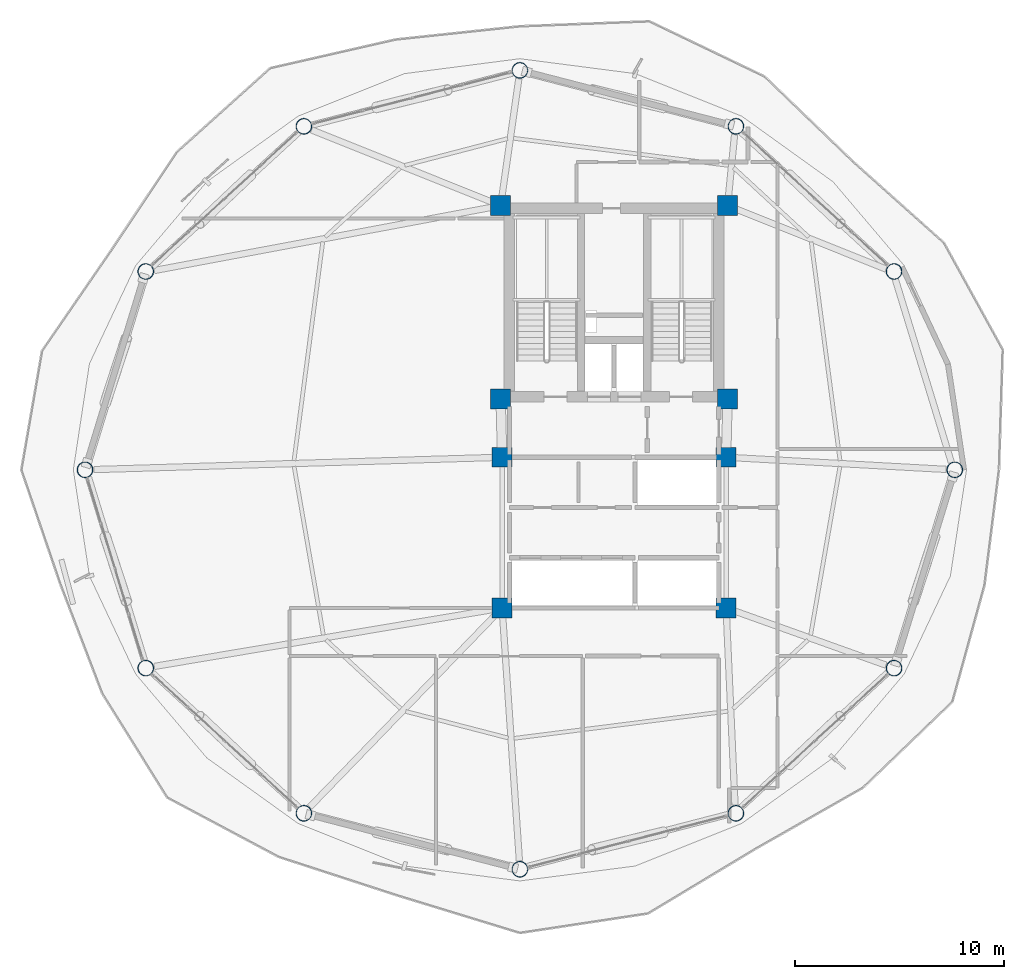
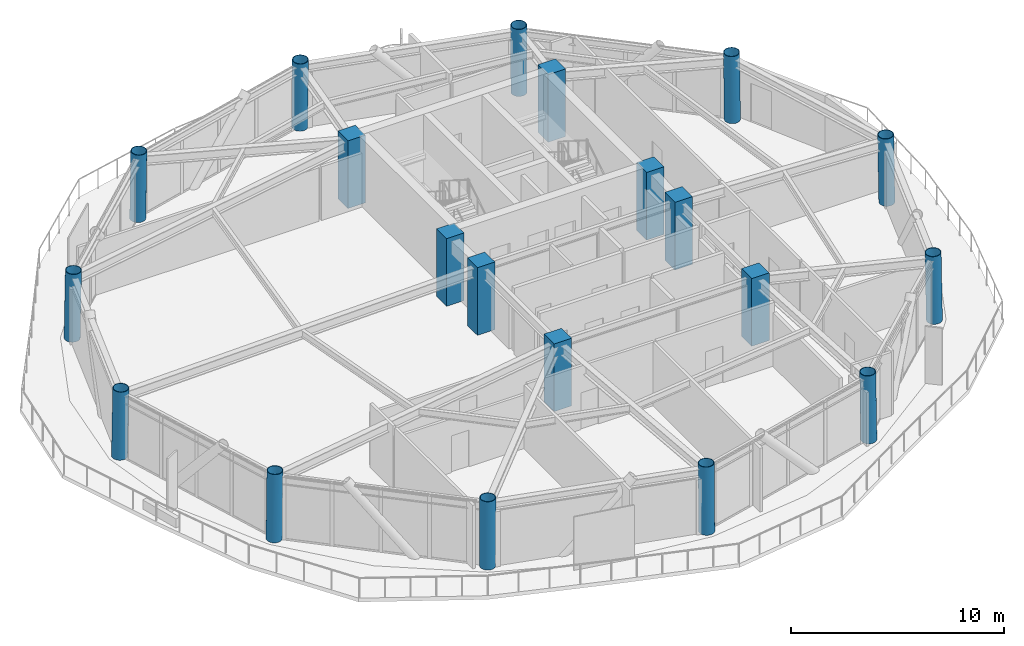
# One storey, part 1 of 23: 20 columns.
"""IFC4 building model written with IfcOpenShell, lengths in metres."""

import ifcopenshell
import ifcopenshell.guid

model = None  # the IFC model being written
_history = None  # IfcOwnerHistory: only IFC2X3 demands one
_inside = {}  # id of a spatial element -> (the spatial element, [elements in it])
_under = {}  # id of a project, library or spatial element -> (it, [spatial elements below it])
_declared = {}  # id of a project -> (the project, [libraries it declares])
_typed = {}  # id of a type object -> (the type object, [elements of that type])
_made_of = {}  # id of a material, layer set ... -> (it, [elements and type objects made of it])


def new_model(schema):
    """Start an empty IFC model of exactly this schema.

    Asked for "IFC4X3", IfcOpenShell would pick the latest addendum, in which some entities
    have other attributes; the version numbers below select the first issue.
    IFC2X3 requires an IfcOwnerHistory on every rooted entity: one is made here for all.
    """
    global model, _history
    if schema == "IFC4X3":
        model = ifcopenshell.file(schema_version=(4, 3, 0, 0))
    else:
        model = ifcopenshell.file(schema=schema)
    _inside.clear()
    _under.clear()
    _declared.clear()
    _typed.clear()
    _made_of.clear()
    _history = None
    if model.schema == "IFC2X3":
        org = make("IfcOrganization", Name="unknown")
        user = make(
            "IfcPersonAndOrganization",
            ThePerson=make("IfcPerson", FamilyName="unknown"),
            TheOrganization=org,
        )
        app = make(
            "IfcApplication",
            ApplicationDeveloper=org,
            Version="unknown",
            ApplicationFullName="unknown",
            ApplicationIdentifier="unknown",
        )
        _history = make(
            "IfcOwnerHistory",
            OwningUser=user,
            OwningApplication=app,
            ChangeAction="ADDED",
            CreationDate=0,
        )
    return model


def make(cls, **values):
    """One entity of the class cls with the attributes given. An attribute that is None is left unset."""
    return model.create_entity(
        cls, **{name: value for name, value in values.items() if value is not None}
    )


def rooted(cls, **values):
    """An entity with a GlobalId (a new one), such as an element, a storey or a relation."""
    return make(cls, GlobalId=ifcopenshell.guid.new(), OwnerHistory=_history, **values)


def si_unit(unit_type, name, prefix=None):
    """IfcSIUnit, for example si_unit("LENGTHUNIT", "METRE", prefix="MILLI")."""
    return make("IfcSIUnit", UnitType=unit_type, Prefix=prefix, Name=name)


def assignment(units):
    """IfcUnitAssignment: the units of a project."""
    return None if units is None else make("IfcUnitAssignment", Units=units)


def point(xyz):
    """IfcCartesianPoint."""
    return None if xyz is None else make("IfcCartesianPoint", Coordinates=xyz)


def direction(xyz):
    """IfcDirection."""
    return None if xyz is None else make("IfcDirection", DirectionRatios=xyz)


def frame(location, z_axis=None, x_axis=None):
    """IfcAxis2Placement3D, a coordinate frame: its origin and axes. An axis left out is left unset."""
    return make(
        "IfcAxis2Placement3D",
        Location=point(location),
        Axis=direction(z_axis),
        RefDirection=direction(x_axis),
    )


def frame_2d(location, x_axis=None):
    """IfcAxis2Placement2D, a coordinate frame in the plane: its origin and x axis."""
    return make(
        "IfcAxis2Placement2D", Location=point(location), RefDirection=direction(x_axis)
    )


def origin():
    """The frame at (0, 0, 0) with its axes left unset."""
    return frame((0.0, 0.0, 0.0))


def origin_2d():
    """The frame at (0, 0) in the plane with its x axis left unset."""
    return frame_2d((0.0, 0.0))


def place(relative_to, where):
    """IfcLocalPlacement: puts the frame where relative to a parent placement (None: the world)."""
    return make(
        "IfcLocalPlacement", PlacementRelTo=relative_to, RelativePlacement=where
    )


def context(
    kind, dimensions, precision=None, world=None, true_north=None, identifier=None
):
    """IfcGeometricRepresentationContext, for example the 3D "Model" context."""
    return make(
        "IfcGeometricRepresentationContext",
        ContextIdentifier=identifier,
        ContextType=kind,
        CoordinateSpaceDimension=dimensions,
        Precision=precision,
        WorldCoordinateSystem=world,
        TrueNorth=true_north,
    )


def subcontext(parent, identifier, kind, view, scale=None):
    """IfcGeometricRepresentationSubContext, for example "Body" below "Model"."""
    return make(
        "IfcGeometricRepresentationSubContext",
        ContextIdentifier=identifier,
        ContextType=kind,
        ParentContext=parent,
        TargetScale=scale,
        TargetView=view,
    )


def project(units=None, contexts=None):
    """IfcProject with its units and contexts."""
    return rooted(
        "IfcProject",
        Name="project",
        RepresentationContexts=contexts,
        UnitsInContext=assignment(units),
    )


def spatial(cls, under=None, at=None, **own):
    """A site, building, storey or space (cls), placed at a placement, below another one or the project."""
    s = rooted(cls, ObjectPlacement=at, **own)
    if under is not None:
        _under.setdefault(under.id(), (under, []))[1].append(s)
    return s


def profile(cls, at=None, kind="AREA", **sizes):
    """A parametric profile (cls). Its sizes go by their IFC names, for example OverallWidth=200.0."""
    return make(cls, ProfileType=kind, Position=at, **sizes)


def rectangle(**sizes):
    """IfcRectangleProfileDef."""
    return profile("IfcRectangleProfileDef", **sizes)


def hollow_circle(**sizes):
    """IfcCircleHollowProfileDef."""
    return profile("IfcCircleHollowProfileDef", **sizes)


def extrude(swept, where, along, depth):
    """IfcExtrudedAreaSolid: the profile swept, set in the frame where, extruded along a direction by depth."""
    return make(
        "IfcExtrudedAreaSolid",
        SweptArea=swept,
        Position=where,
        ExtrudedDirection=direction(along),
        Depth=depth,
    )


def shape(context_of_items, identifier, shape_type, items):
    """IfcShapeRepresentation: the items that make up one representation, for example the "Body"."""
    return make(
        "IfcShapeRepresentation",
        ContextOfItems=context_of_items,
        RepresentationIdentifier=identifier,
        RepresentationType=shape_type,
        Items=items,
    )


def material(Name=None, Category=None):
    """IfcMaterial."""
    return make("IfcMaterial", Name=Name, Category=Category)


def material_profile(
    of_material, cross_section, Name=None, Category=None, Priority=None
):
    """IfcMaterialProfile: a cross section and its material."""
    return make(
        "IfcMaterialProfile",
        Name=Name,
        Material=of_material,
        Profile=cross_section,
        Priority=Priority,
        Category=Category,
    )


def profile_set(profiles, Name=None, composite=None):
    """IfcMaterialProfileSet."""
    return make(
        "IfcMaterialProfileSet",
        Name=Name,
        MaterialProfiles=profiles,
        CompositeProfile=composite,
    )


def made_of(thing, what):
    """Note that an element or type object is made of a material, layer set ...; save() writes the relation."""
    if what is not None:
        _made_of.setdefault(what.id(), (what, []))[1].append(thing)
    return thing


def type_object(cls, material=None, **own):
    """A type object (cls), such as IfcWallType, which elements share."""
    return made_of(rooted(cls, **own), material)


def element(
    cls,
    number,
    at=None,
    inside=None,
    cuts=None,
    type_object=None,
    material=None,
    context=None,
    identifier="Body",
    shape_type=None,
    held_by="IfcProductDefinitionShape",
    body=None,
    shapes=None,
    **own,
):
    """One element of the class cls, such as IfcWall. Its Tag is "e" and its number.

    at: its placement. inside: the storey or other place that contains it. cuts: it is an
    opening in that element (IfcRelVoidsElement). A single representation is given by context,
    identifier, shape_type and body (its items); several are given by shapes. held_by: the class
    of the entity that holds the representations. save() writes the other relations.
    """
    e = rooted(cls, Tag="e%d" % number, ObjectPlacement=at, **own)
    if body is not None:
        shapes = [shape(context, identifier, shape_type, body)]
    if shapes is not None:
        e.Representation = make(held_by, Representations=shapes)
    if inside is not None:
        _inside.setdefault(inside.id(), (inside, []))[1].append(e)
    if cuts is not None:
        rooted(
            "IfcRelVoidsElement", RelatingBuildingElement=cuts, RelatedOpeningElement=e
        )
    if type_object is not None:
        _typed.setdefault(type_object.id(), (type_object, []))[1].append(e)
    return made_of(e, material)


def aggregate(whole, parts):
    """IfcRelAggregates: a whole, such as a stair, and the parts it consists of."""
    return rooted("IfcRelAggregates", RelatingObject=whole, RelatedObjects=parts)


def save(model, path):
    """Write the relations noted so far, then the file.

    IfcRelAggregates (storeys below a building ...), IfcRelContainedInSpatialStructure (elements
    in a storey), IfcRelDefinesByType, IfcRelAssociatesMaterial and IfcRelDeclares: one each for
    every whole, place, type object, material and project.
    """
    for whole, parts in _under.values():
        aggregate(whole, parts)
    for where, things in _inside.values():
        rooted(
            "IfcRelContainedInSpatialStructure",
            RelatedElements=things,
            RelatingStructure=where,
        )
    for kind, things in _typed.values():
        rooted("IfcRelDefinesByType", RelatedObjects=things, RelatingType=kind)
    for what, things in _made_of.values():
        rooted("IfcRelAssociatesMaterial", RelatedObjects=things, RelatingMaterial=what)
    for by, libraries in _declared.values():
        rooted("IfcRelDeclares", RelatingContext=by, RelatedDefinitions=libraries)
    model.write(path)


model = new_model("IFC4")

# Units and contexts
model_context = context("Model", 3, precision=1e-05, world=origin(), true_north=direction((0.0, 1.0)))
body_context = subcontext(model_context, "Body", "Model", "MODEL_VIEW")
ifc_project = project(units=[si_unit("LENGTHUNIT", "METRE"), si_unit("AREAUNIT", "SQUARE_METRE"), si_unit("VOLUMEUNIT", "CUBIC_METRE"), si_unit("PLANEANGLEUNIT", "RADIAN"), si_unit("MASSUNIT", "GRAM", prefix="KILO")], contexts=[model_context])

# Site, building, storey
site_placement = place(None, origin())
site = spatial("IfcSite", under=ifc_project, at=site_placement, CompositionType="ELEMENT")
building_placement = place(site_placement, origin())
building = spatial("IfcBuilding", under=site, at=building_placement, Name="Varnakorn Sky Granary", CompositionType="ELEMENT")
storey_placement = place(building_placement, frame((0.0, 0.0, 150.0)))
storey = spatial("IfcBuildingStorey", under=building, at=storey_placement, Name="L37", CompositionType="ELEMENT", Elevation=150.0)

# Columns
ifc_material_1 = material(Name="Steel S460M", Category="steel")
ifc_material_profile_1 = material_profile(ifc_material_1, hollow_circle(Radius=0.381103515625, WallThickness=0.028076171875, at=origin_2d()), Name="CHS 762x28")
ifc_profile_set_1 = profile_set([ifc_material_profile_1], Name="Steel S460M")
column_type_1 = type_object("IfcColumnType", Name="COL-DC-Z3", PredefinedType="COLUMN", material=ifc_profile_set_1)
for number, where, z_axis, x_axis, name in (
    (1, (19.282958984375, 0.0, 0.0), (-0.017008627934, 0.0, 0.999855342825), (0.0, -1.0, 0.0), "Drum Perimeter Column DC01 L37"),
    (2, (16.381591796875, 9.4765625, 0.0), (-0.014741054901, -0.006236600151, 0.999871894854), (0.389639990837, -0.920967251069, 0.0), "Drum Perimeter Column DC02 L37"),
):
    element("IfcColumn", number, at=place(storey_placement, frame(where, z_axis=z_axis, x_axis=x_axis)), inside=storey, type_object=column_type_1, Name=name, PredefinedType="COLUMN", context=body_context, shape_type="SweptSolid", body=[
        extrude(hollow_circle(Radius=0.381103515625, WallThickness=0.028076171875, at=origin_2d()), origin(), (0.0, 0.0, 1.0), 3.87548828125),
    ])
for number, where, z_axis, x_axis, name in (
    (3, (8.823974609375, 16.413818359375, 0.0), (-0.00850474893, -0.010709683838, 0.999906481586), (0.783110847498, -0.621882143602, 0.0), "Drum Perimeter Column DC03 L37"),
    (4, (-1.5, 19.087890625, 0.0), (0.0, -0.012347848881, 0.999923762408), (1.0, 0.0, 0.0), "Drum Perimeter Column DC04 L37"),
    (5, (-11.823974609375, 16.413818359375, 0.0), (0.00850474893, -0.010709683838, 0.999906481586), (0.783110847498, 0.621882143602, 0.0), "Drum Perimeter Column DC05 L37"),
):
    element("IfcColumn", number, at=place(storey_placement, frame(where, z_axis=z_axis, x_axis=x_axis)), inside=storey, type_object=column_type_1, Name=name, PredefinedType="COLUMN", context=body_context, shape_type="SweptSolid", body=[
        extrude(hollow_circle(Radius=0.381103515625, WallThickness=0.028076171875, at=origin_2d()), origin(), (0.0, 0.0, 1.0), 3.875244140625),
    ])
for number, where, z_axis, x_axis, name in (
    (6, (-19.381591796875, 9.4765625, 0.0), (0.014741054901, -0.006236600151, 0.999871894854), (0.389639990837, 0.920967251069, 0.0), "Drum Perimeter Column DC06 L37"),
    (7, (-22.282958984375, 0.0, 0.0), (0.017008627934, 0.0, 0.999855342825), (0.0, 1.0, 0.0), "Drum Perimeter Column DC07 L37"),
    (8, (-19.381591796875, -9.4765625, 0.0), (0.014741054901, 0.006236600151, 0.999871894854), (-0.389639990837, 0.920967251069, 0.0), "Drum Perimeter Column DC08 L37"),
):
    element("IfcColumn", number, at=place(storey_placement, frame(where, z_axis=z_axis, x_axis=x_axis)), inside=storey, type_object=column_type_1, Name=name, PredefinedType="COLUMN", context=body_context, shape_type="SweptSolid", body=[
        extrude(hollow_circle(Radius=0.381103515625, WallThickness=0.028076171875, at=origin_2d()), origin(), (0.0, 0.0, 1.0), 3.87548828125),
    ])
for number, where, z_axis, x_axis, name in (
    (9, (-11.823974609375, -16.413818359375, 0.0), (0.00850474893, 0.010709683838, 0.999906481586), (-0.783110847498, 0.621882143602, 0.0), "Drum Perimeter Column DC09 L37"),
    (10, (-1.5, -19.087890625, 0.0), (0.0, 0.012347848881, 0.999923762408), (-1.0, 0.0, 0.0), "Drum Perimeter Column DC10 L37"),
    (11, (8.823974609375, -16.413818359375, 0.0), (-0.00850474893, 0.010709683838, 0.999906481586), (-0.783110847498, -0.621882143602, 0.0), "Drum Perimeter Column DC11 L37"),
):
    element("IfcColumn", number, at=place(storey_placement, frame(where, z_axis=z_axis, x_axis=x_axis)), inside=storey, type_object=column_type_1, Name=name, PredefinedType="COLUMN", context=body_context, shape_type="SweptSolid", body=[
        extrude(hollow_circle(Radius=0.381103515625, WallThickness=0.028076171875, at=origin_2d()), origin(), (0.0, 0.0, 1.0), 3.875244140625),
    ])
column_placement = place(storey_placement, frame((16.381591796875, -9.4765625, 0.0), z_axis=(-0.014741054901, 0.006236600151, 0.999871894854), x_axis=(-0.389639990837, -0.920967251069, 0.0)))
element("IfcColumn", 12, at=column_placement, inside=storey, type_object=column_type_1, Name="Drum Perimeter Column DC12 L37", PredefinedType="COLUMN", context=body_context, shape_type="SweptSolid", body=[
    extrude(hollow_circle(Radius=0.381103515625, WallThickness=0.028076171875, at=origin_2d()), origin(), (0.0, 0.0, 1.0), 3.87548828125),
])
ifc_material_2 = material(Name="Concrete C50/60", Category="concrete")
ifc_material_profile_2 = material_profile(ifc_material_2, rectangle(XDim=0.949951171875, YDim=0.949951171875, at=origin_2d()), Name="RC 950x950")
ifc_profile_set_2 = profile_set([ifc_material_profile_2], Name="Concrete C50/60")
column_type_2 = type_object("IfcColumnType", Name="COL-MC-Z3", PredefinedType="COLUMN", material=ifc_profile_set_2)
for number, where, z_axis, x_axis, name in (
    (13, (-2.419921875, 12.6201171875, 0.0), (0.0, 0.0, 1.0), (1.0, 0.0, 0.0), "Backbone Mega-Column MC1 L37"),
    (14, (8.419921875, 12.6201171875, 0.0), (0.0, 0.0, 1.0), (1.0, 0.0, 0.0), "Backbone Mega-Column MC2 L37"),
    (15, (-2.419921875, 3.3798828125, 0.0), (0.0, 0.0, 1.0), (1.0, 0.0, 0.0), "Backbone Mega-Column MC3 L37"),
    (16, (8.419921875, 3.3798828125, 0.0), (0.0, 0.0, 1.0), (1.0, 0.0, 0.0), "Backbone Mega-Column MC4 L37"),
    (17, (-2.35009765625, 0.60009765625, 0.0), (0.0, 0.0, 1.0), (1.0, 0.0, 0.0), "Backbone Mega-Column MC5 L37"),
    (18, (8.35009765625, 0.60009765625, 0.0), (0.0, 0.0, 1.0), (1.0, 0.0, 0.0), "Backbone Mega-Column MC6 L37"),
    (19, (-2.35009765625, -6.60009765625, 0.0), (0.0, 0.0, 1.0), (1.0, 0.0, 0.0), "Backbone Mega-Column MC7 L37"),
    (20, (8.35009765625, -6.60009765625, 0.0), (0.0, 0.0, 1.0), (1.0, 0.0, 0.0), "Backbone Mega-Column MC8 L37"),
):
    element("IfcColumn", number, at=place(storey_placement, frame(where, z_axis=z_axis, x_axis=x_axis)), inside=storey, type_object=column_type_2, Name=name, PredefinedType="COLUMN", context=body_context, shape_type="SweptSolid", body=[
        extrude(rectangle(XDim=0.949951171875, YDim=0.949951171875, at=origin_2d()), origin(), (0.0, 0.0, 1.0), 3.875),
    ])

save(model, "model.ifc")
